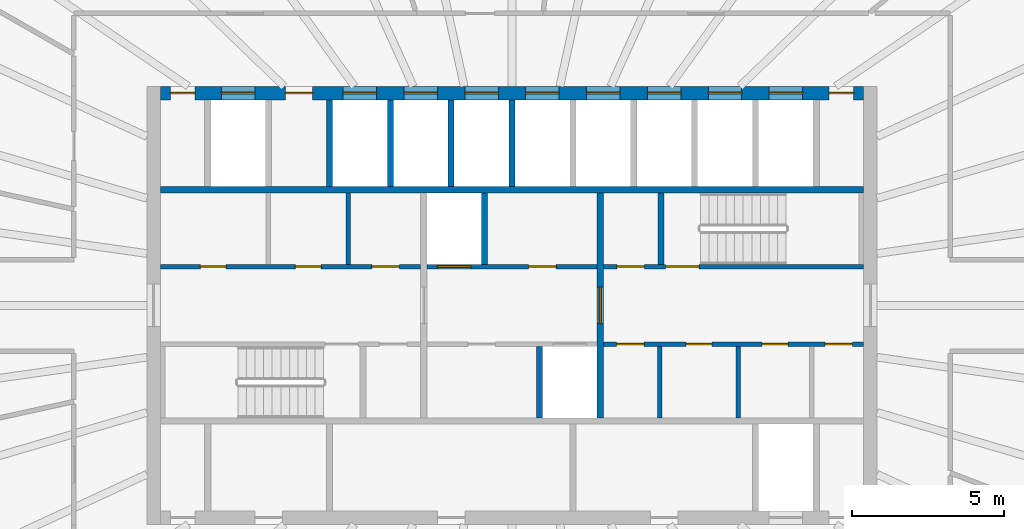
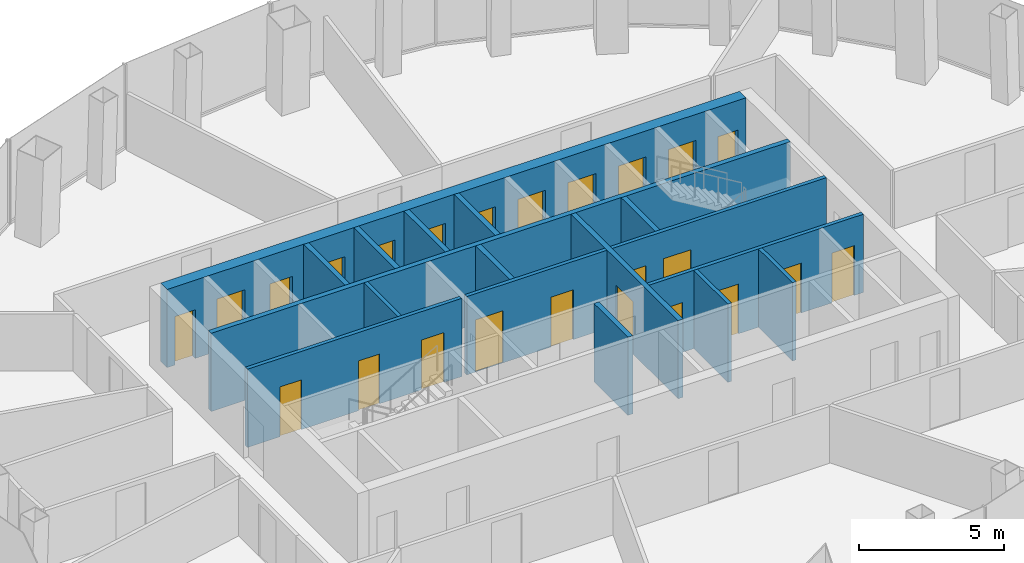
# One storey, part 8 of 10: 24 doors, 17 walls, 24 openings.
"""IFC4 building model written with IfcOpenShell, lengths in metres."""

from ifc_helpers import new_model, si_unit, direction, frame, frame_2d, origin, place, context, subcontext, project, spatial, rectangle, extrude, material, layer, layer_set, type_object, element, fill, save


model = new_model("IFC4")

# Units and contexts
model_context = context("Model", 3, precision=1e-05, world=origin(), true_north=direction((0.0, 1.0)))
body_context = subcontext(model_context, "Body", "Model", "MODEL_VIEW")
ifc_project = project(units=[si_unit("LENGTHUNIT", "METRE"), si_unit("AREAUNIT", "SQUARE_METRE"), si_unit("VOLUMEUNIT", "CUBIC_METRE"), si_unit("PLANEANGLEUNIT", "RADIAN"), si_unit("MASSUNIT", "GRAM", prefix="KILO")], contexts=[model_context])

# Site, building, storey
site_placement = place(None, origin())
site = spatial("IfcSite", under=ifc_project, at=site_placement, CompositionType="ELEMENT")
building_placement = place(site_placement, origin())
building = spatial("IfcBuilding", under=site, at=building_placement, Name="Siaravel Broadcast Tower", CompositionType="ELEMENT")
storey_placement = place(building_placement, frame((0.0, 0.0, 164.5)))
storey = spatial("IfcBuildingStorey", under=building, at=storey_placement, Name="L39", CompositionType="ELEMENT", Elevation=164.5)

# Walls
ifc_material_1 = material(Name="Concrete blockwork", Category="masonry")
ifc_layer_1 = layer(ifc_material_1, 0.14990234375)
ifc_layer_set_1 = layer_set([ifc_layer_1], Name="Concrete blockwork")
wall_type_1 = type_object("IfcWallType", Name="Core partition 150", PredefinedType="PARTITIONING", material=ifc_layer_set_1)
for number, where, z_axis, x_axis, name in (
    (1, (-5.385009765625, 1.35009765625, 0.0), (0.0, 0.0, 1.0), (0.0, 1.0, 0.0), "L39 core partition PNW1"),
    (2, (4.85693359375, -3.699951171875, 0.0), (0.0, 0.0, 1.0), (0.0, 1.0, 0.0), "L39 core partition PSE0"),
    (3, (7.43701171875, -3.699951171875, 0.0), (0.0, 0.0, 1.0), (0.0, 1.0, 0.0), "L39 core partition PSE1"),
):
    element("IfcWall", number, at=place(storey_placement, frame(where, z_axis=z_axis, x_axis=x_axis)), inside=storey, type_object=wall_type_1, Name=name, PredefinedType="PARTITIONING", context=body_context, shape_type="SweptSolid", body=[
        extrude(rectangle(XDim=2.349853515625, YDim=0.14990234375, at=frame_2d((1.1748046875, 0.0))), origin(), (0.0, 0.0, 1.0), 3.300048828125),
    ])

# Wall, openings, doors
ifc_material_2 = material(Name="Concrete C60/75", Category="concrete")
ifc_layer_2 = layer(ifc_material_2, 0.449951171875)
ifc_layer_set_2 = layer_set([ifc_layer_2], Name="Concrete C60/75")
wall_type_2 = type_object("IfcWallType", Name="Core wall 450", PredefinedType="SHEAR", material=ifc_layer_set_2)
wall_1_placement = place(storey_placement, frame((-11.550048828125, 6.97509765625, 0.0), z_axis=(0.0, 0.0, 1.0), x_axis=(1.0, 0.0, 0.0)))
wall_1 = element("IfcWall", 4, at=wall_1_placement, inside=storey, type_object=wall_type_2, Name="L39 core wall ON", PredefinedType="SHEAR", context=body_context, shape_type="SweptSolid", body=[
    extrude(rectangle(XDim=23.10009765625, YDim=0.449951171875, at=frame_2d((11.550048828125, 0.0))), origin(), (0.0, 0.0, 1.0), 3.300048828125),
])
opening_1_placement = place(wall_1_placement, frame((2.0, 0.0, 0.0)))
opening_1 = element("IfcOpeningElement", 5, at=opening_1_placement, cuts=wall_1, Name="Opening LD-SV2-L39", PredefinedType="OPENING", context=body_context, shape_type="SweptSolid", body=[
    extrude(rectangle(XDim=1.10009765625, YDim=2.199951171875, at=frame_2d((0.550048828125, 1.10009765625))), frame((0.0, 0.23486328125, 0.0), z_axis=(0.0, -1.0, 0.0), x_axis=(1.0, 0.0, 0.0)), (0.0, 0.0, 1.0), 0.469970703125),
])
opening_2_placement = place(wall_1_placement, frame((6.0, 0.0, 0.0)))
opening_2 = element("IfcOpeningElement", 6, at=opening_2_placement, cuts=wall_1, Name="Opening LD-HP1-L39", PredefinedType="OPENING", context=body_context, shape_type="SweptSolid", body=[
    extrude(rectangle(XDim=1.10009765625, YDim=2.199951171875, at=frame_2d((0.550048828125, 1.10009765625))), frame((0.0, 0.23486328125, 0.0), z_axis=(0.0, -1.0, 0.0), x_axis=(1.0, 0.0, 0.0)), (0.0, 0.0, 1.0), 0.469970703125),
])
opening_3_placement = place(wall_1_placement, frame((8.0, 0.0, 0.0)))
opening_3 = element("IfcOpeningElement", 7, at=opening_3_placement, cuts=wall_1, Name="Opening LD-HP2-L39", PredefinedType="OPENING", context=body_context, shape_type="SweptSolid", body=[
    extrude(rectangle(XDim=1.10009765625, YDim=2.199951171875, at=frame_2d((0.550048828125, 1.10009765625))), frame((0.0, 0.23486328125, 0.0), z_axis=(0.0, -1.0, 0.0), x_axis=(1.0, 0.0, 0.0)), (0.0, 0.0, 1.0), 0.469970703125),
])
opening_4_placement = place(wall_1_placement, frame((10.0, 0.0, 0.0)))
opening_4 = element("IfcOpeningElement", 8, at=opening_4_placement, cuts=wall_1, Name="Opening LD-HP3-L39", PredefinedType="OPENING", context=body_context, shape_type="SweptSolid", body=[
    extrude(rectangle(XDim=1.10009765625, YDim=2.199951171875, at=frame_2d((0.550048828125, 1.10009765625))), frame((0.0, 0.23486328125, 0.0), z_axis=(0.0, -1.0, 0.0), x_axis=(1.0, 0.0, 0.0)), (0.0, 0.0, 1.0), 0.469970703125),
])
opening_5_placement = place(wall_1_placement, frame((12.0, 0.0, 0.0)))
opening_5 = element("IfcOpeningElement", 9, at=opening_5_placement, cuts=wall_1, Name="Opening LD-HP4-L39", PredefinedType="OPENING", context=body_context, shape_type="SweptSolid", body=[
    extrude(rectangle(XDim=1.10009765625, YDim=2.199951171875, at=frame_2d((0.550048828125, 1.10009765625))), frame((0.0, 0.23486328125, 0.0), z_axis=(0.0, -1.0, 0.0), x_axis=(1.0, 0.0, 0.0)), (0.0, 0.0, 1.0), 0.469970703125),
])
opening_6_placement = place(wall_1_placement, frame((14.0, 0.0, 0.0)))
opening_6 = element("IfcOpeningElement", 10, at=opening_6_placement, cuts=wall_1, Name="Opening LD-HP5-L39", PredefinedType="OPENING", context=body_context, shape_type="SweptSolid", body=[
    extrude(rectangle(XDim=1.10009765625, YDim=2.199951171875, at=frame_2d((0.550048828125, 1.10009765625))), frame((0.0, 0.23486328125, 0.0), z_axis=(0.0, -1.0, 0.0), x_axis=(1.0, 0.0, 0.0)), (0.0, 0.0, 1.0), 0.469970703125),
])
opening_7_placement = place(wall_1_placement, frame((16.0, 0.0, 0.0)))
opening_7 = element("IfcOpeningElement", 11, at=opening_7_placement, cuts=wall_1, Name="Opening LD-HP6-L39", PredefinedType="OPENING", context=body_context, shape_type="SweptSolid", body=[
    extrude(rectangle(XDim=1.10009765625, YDim=2.199951171875, at=frame_2d((0.550048828125, 1.10009765625))), frame((0.0, 0.23486328125, 0.0), z_axis=(0.0, -1.0, 0.0), x_axis=(1.0, 0.0, 0.0)), (0.0, 0.0, 1.0), 0.469970703125),
])
opening_8_placement = place(wall_1_placement, frame((18.0, 0.0, 0.0)))
opening_8 = element("IfcOpeningElement", 12, at=opening_8_placement, cuts=wall_1, Name="Opening LD-HP7-L39", PredefinedType="OPENING", context=body_context, shape_type="SweptSolid", body=[
    extrude(rectangle(XDim=1.10009765625, YDim=2.199951171875, at=frame_2d((0.550048828125, 1.10009765625))), frame((0.0, 0.23486328125, 0.0), z_axis=(0.0, -1.0, 0.0), x_axis=(1.0, 0.0, 0.0)), (0.0, 0.0, 1.0), 0.469970703125),
])
opening_9_placement = place(wall_1_placement, frame((20.0, 0.0, 0.0)))
opening_9 = element("IfcOpeningElement", 13, at=opening_9_placement, cuts=wall_1, Name="Opening LD-HP8-L39", PredefinedType="OPENING", context=body_context, shape_type="SweptSolid", body=[
    extrude(rectangle(XDim=1.10009765625, YDim=2.199951171875, at=frame_2d((0.550048828125, 1.10009765625))), frame((0.0, 0.23486328125, 0.0), z_axis=(0.0, -1.0, 0.0), x_axis=(1.0, 0.0, 0.0)), (0.0, 0.0, 1.0), 0.469970703125),
])
opening_10_placement = place(wall_1_placement, frame((4.10009765625, 0.0, 0.0)))
opening_10 = element("IfcOpeningElement", 14, at=opening_10_placement, cuts=wall_1, Name="Opening L39-DFN1", PredefinedType="OPENING", context=body_context, shape_type="SweptSolid", body=[
    extrude(rectangle(XDim=0.89990234375, YDim=2.10009765625, at=frame_2d((0.449951171875, 1.050048828125))), frame((0.0, 0.23486328125, 0.0), z_axis=(0.0, -1.0, 0.0), x_axis=(1.0, 0.0, 0.0)), (0.0, 0.0, 1.0), 0.469970703125),
])
opening_11_placement = place(wall_1_placement, frame((0.324951171875, 0.0, 0.0)))
opening_11 = element("IfcOpeningElement", 15, at=opening_11_placement, cuts=wall_1, Name="Opening L39-DRNW", PredefinedType="OPENING", context=body_context, shape_type="SweptSolid", body=[
    extrude(rectangle(XDim=0.800048828125, YDim=2.050048828125, at=frame_2d((0.39990234375, 1.02490234375))), frame((0.0, 0.23486328125, 0.0), z_axis=(0.0, -1.0, 0.0), x_axis=(1.0, 0.0, 0.0)), (0.0, 0.0, 1.0), 0.469970703125),
])
opening_12_placement = place(wall_1_placement, frame((21.97509765625, 0.0, 0.0)))
opening_12 = element("IfcOpeningElement", 16, at=opening_12_placement, cuts=wall_1, Name="Opening L39-DRNE", PredefinedType="OPENING", context=body_context, shape_type="SweptSolid", body=[
    extrude(rectangle(XDim=0.800048828125, YDim=2.050048828125, at=frame_2d((0.39990234375, 1.02490234375))), frame((0.0, 0.23486328125, 0.0), z_axis=(0.0, -1.0, 0.0), x_axis=(1.0, 0.0, 0.0)), (0.0, 0.0, 1.0), 0.469970703125),
])
ifc_material_3 = material(Name="Timber veneer", Category="wood")
door_type_1 = type_object("IfcDoorType", Name="Core room door 900", OperationType="SINGLE_SWING_LEFT", PredefinedType="DOOR", material=ifc_material_3)
door_1_placement = place(opening_10_placement, origin())
door_1 = element("IfcDoor", 17, at=door_1_placement, inside=storey, type_object=door_type_1, Name="L39 door DFN1", OperationType="SINGLE_SWING_LEFT", OverallHeight=2.10009765625, OverallWidth=0.89990234375, PredefinedType="DOOR", context=body_context, shape_type="SweptSolid", body=[
    extrude(rectangle(XDim=0.89990234375, YDim=2.10009765625, at=frame_2d((0.449951171875, 1.050048828125))), frame((0.0, 0.02490234375, 0.0), z_axis=(0.0, -1.0, 0.0), x_axis=(1.0, 0.0, 0.0)), (0.0, 0.0, 1.0), 0.050048828125),
])
fill(opening_10, door_1)
ifc_material_4 = material(Name="Stainless steel 316L", Category="steel")
door_type_2 = type_object("IfcDoorType", Name="Lift landing door 1100", OperationType="DOUBLE_DOOR_SLIDING", PredefinedType="DOOR", material=ifc_material_4)
door_2_placement = place(opening_2_placement, origin())
door_2 = element("IfcDoor", 18, at=door_2_placement, inside=storey, type_object=door_type_2, Name="Landing door HP1 L39", OperationType="DOUBLE_DOOR_SLIDING", OverallHeight=2.199951171875, OverallWidth=1.10009765625, PredefinedType="DOOR", context=body_context, shape_type="SweptSolid", body=[
    extrude(rectangle(XDim=1.10009765625, YDim=2.199951171875, at=frame_2d((0.550048828125, 1.10009765625))), frame((0.0, 0.02490234375, 0.0), z_axis=(0.0, -1.0, 0.0), x_axis=(1.0, 0.0, 0.0)), (0.0, 0.0, 1.0), 0.050048828125),
])
fill(opening_2, door_2)
door_3_placement = place(opening_3_placement, origin())
door_3 = element("IfcDoor", 19, at=door_3_placement, inside=storey, type_object=door_type_2, Name="Landing door HP2 L39", OperationType="DOUBLE_DOOR_SLIDING", OverallHeight=2.199951171875, OverallWidth=1.10009765625, PredefinedType="DOOR", context=body_context, shape_type="SweptSolid", body=[
    extrude(rectangle(XDim=1.10009765625, YDim=2.199951171875, at=frame_2d((0.550048828125, 1.10009765625))), frame((0.0, 0.02490234375, 0.0), z_axis=(0.0, -1.0, 0.0), x_axis=(1.0, 0.0, 0.0)), (0.0, 0.0, 1.0), 0.050048828125),
])
fill(opening_3, door_3)
door_4_placement = place(opening_4_placement, origin())
door_4 = element("IfcDoor", 20, at=door_4_placement, inside=storey, type_object=door_type_2, Name="Landing door HP3 L39", OperationType="DOUBLE_DOOR_SLIDING", OverallHeight=2.199951171875, OverallWidth=1.10009765625, PredefinedType="DOOR", context=body_context, shape_type="SweptSolid", body=[
    extrude(rectangle(XDim=1.10009765625, YDim=2.199951171875, at=frame_2d((0.550048828125, 1.10009765625))), frame((0.0, 0.02490234375, 0.0), z_axis=(0.0, -1.0, 0.0), x_axis=(1.0, 0.0, 0.0)), (0.0, 0.0, 1.0), 0.050048828125),
])
fill(opening_4, door_4)
door_5_placement = place(opening_5_placement, origin())
door_5 = element("IfcDoor", 21, at=door_5_placement, inside=storey, type_object=door_type_2, Name="Landing door HP4 L39", OperationType="DOUBLE_DOOR_SLIDING", OverallHeight=2.199951171875, OverallWidth=1.10009765625, PredefinedType="DOOR", context=body_context, shape_type="SweptSolid", body=[
    extrude(rectangle(XDim=1.10009765625, YDim=2.199951171875, at=frame_2d((0.550048828125, 1.10009765625))), frame((0.0, 0.02490234375, 0.0), z_axis=(0.0, -1.0, 0.0), x_axis=(1.0, 0.0, 0.0)), (0.0, 0.0, 1.0), 0.050048828125),
])
fill(opening_5, door_5)
door_6_placement = place(opening_6_placement, origin())
door_6 = element("IfcDoor", 22, at=door_6_placement, inside=storey, type_object=door_type_2, Name="Landing door HP5 L39", OperationType="DOUBLE_DOOR_SLIDING", OverallHeight=2.199951171875, OverallWidth=1.10009765625, PredefinedType="DOOR", context=body_context, shape_type="SweptSolid", body=[
    extrude(rectangle(XDim=1.10009765625, YDim=2.199951171875, at=frame_2d((0.550048828125, 1.10009765625))), frame((0.0, 0.02490234375, 0.0), z_axis=(0.0, -1.0, 0.0), x_axis=(1.0, 0.0, 0.0)), (0.0, 0.0, 1.0), 0.050048828125),
])
fill(opening_6, door_6)
door_7_placement = place(opening_7_placement, origin())
door_7 = element("IfcDoor", 23, at=door_7_placement, inside=storey, type_object=door_type_2, Name="Landing door HP6 L39", OperationType="DOUBLE_DOOR_SLIDING", OverallHeight=2.199951171875, OverallWidth=1.10009765625, PredefinedType="DOOR", context=body_context, shape_type="SweptSolid", body=[
    extrude(rectangle(XDim=1.10009765625, YDim=2.199951171875, at=frame_2d((0.550048828125, 1.10009765625))), frame((0.0, 0.02490234375, 0.0), z_axis=(0.0, -1.0, 0.0), x_axis=(1.0, 0.0, 0.0)), (0.0, 0.0, 1.0), 0.050048828125),
])
fill(opening_7, door_7)
door_8_placement = place(opening_8_placement, origin())
door_8 = element("IfcDoor", 24, at=door_8_placement, inside=storey, type_object=door_type_2, Name="Landing door HP7 L39", OperationType="DOUBLE_DOOR_SLIDING", OverallHeight=2.199951171875, OverallWidth=1.10009765625, PredefinedType="DOOR", context=body_context, shape_type="SweptSolid", body=[
    extrude(rectangle(XDim=1.10009765625, YDim=2.199951171875, at=frame_2d((0.550048828125, 1.10009765625))), frame((0.0, 0.02490234375, 0.0), z_axis=(0.0, -1.0, 0.0), x_axis=(1.0, 0.0, 0.0)), (0.0, 0.0, 1.0), 0.050048828125),
])
fill(opening_8, door_8)
door_9_placement = place(opening_9_placement, origin())
door_9 = element("IfcDoor", 25, at=door_9_placement, inside=storey, type_object=door_type_2, Name="Landing door HP8 L39", OperationType="DOUBLE_DOOR_SLIDING", OverallHeight=2.199951171875, OverallWidth=1.10009765625, PredefinedType="DOOR", context=body_context, shape_type="SweptSolid", body=[
    extrude(rectangle(XDim=1.10009765625, YDim=2.199951171875, at=frame_2d((0.550048828125, 1.10009765625))), frame((0.0, 0.02490234375, 0.0), z_axis=(0.0, -1.0, 0.0), x_axis=(1.0, 0.0, 0.0)), (0.0, 0.0, 1.0), 0.050048828125),
])
fill(opening_9, door_9)
ifc_material_5 = material(Name="Steel", Category="steel")
door_type_3 = type_object("IfcDoorType", Name="Riser door 800", OperationType="SINGLE_SWING_LEFT", PredefinedType="DOOR", material=ifc_material_5)
door_10_placement = place(opening_11_placement, origin())
door_10 = element("IfcDoor", 26, at=door_10_placement, inside=storey, type_object=door_type_3, Name="L39 door DRNW", OperationType="SINGLE_SWING_LEFT", OverallHeight=2.050048828125, OverallWidth=0.800048828125, PredefinedType="DOOR", context=body_context, shape_type="SweptSolid", body=[
    extrude(rectangle(XDim=0.800048828125, YDim=2.050048828125, at=frame_2d((0.39990234375, 1.02490234375))), frame((0.0, 0.02490234375, 0.0), z_axis=(0.0, -1.0, 0.0), x_axis=(1.0, 0.0, 0.0)), (0.0, 0.0, 1.0), 0.050048828125),
])
fill(opening_11, door_10)
door_11_placement = place(opening_12_placement, origin())
door_11 = element("IfcDoor", 27, at=door_11_placement, inside=storey, type_object=door_type_3, Name="L39 door DRNE", OperationType="SINGLE_SWING_LEFT", OverallHeight=2.050048828125, OverallWidth=0.800048828125, PredefinedType="DOOR", context=body_context, shape_type="SweptSolid", body=[
    extrude(rectangle(XDim=0.800048828125, YDim=2.050048828125, at=frame_2d((0.39990234375, 1.02490234375))), frame((0.0, 0.02490234375, 0.0), z_axis=(0.0, -1.0, 0.0), x_axis=(1.0, 0.0, 0.0)), (0.0, 0.0, 1.0), 0.050048828125),
])
fill(opening_12, door_11)
door_type_4 = type_object("IfcDoorType", Name="Service lift landing door 1100", OperationType="DOUBLE_DOOR_SLIDING", PredefinedType="DOOR", material=ifc_material_4)
door_12_placement = place(opening_1_placement, origin())
door_12 = element("IfcDoor", 28, at=door_12_placement, inside=storey, type_object=door_type_4, Name="Landing door SV2 L39", OperationType="DOUBLE_DOOR_SLIDING", OverallHeight=2.199951171875, OverallWidth=1.10009765625, PredefinedType="DOOR", context=body_context, shape_type="SweptSolid", body=[
    extrude(rectangle(XDim=1.10009765625, YDim=2.199951171875, at=frame_2d((0.550048828125, 1.10009765625))), frame((0.0, 0.02490234375, 0.0), z_axis=(0.0, -1.0, 0.0), x_axis=(1.0, 0.0, 0.0)), (0.0, 0.0, 1.0), 0.050048828125),
])
fill(opening_1, door_12)

ifc_material_6 = material(Name="Gypsum board partition", Category="gypsum")
ifc_layer_3 = layer(ifc_material_6, 0.14990234375)
ifc_layer_set_3 = layer_set([ifc_layer_3], Name="Gypsum board partition")
wall_type_3 = type_object("IfcWallType", Name="Corridor wall 150", PredefinedType="PARTITIONING", material=ifc_layer_set_3)
wall_2_placement = place(storey_placement, frame((3.0, -1.27490234375, 0.0), z_axis=(0.0, 0.0, 1.0), x_axis=(1.0, 0.0, 0.0)))
wall_2 = element("IfcWall", 29, at=wall_2_placement, inside=storey, type_object=wall_type_3, Name="L39 core partition CSE", PredefinedType="PARTITIONING", context=body_context, shape_type="SweptSolid", body=[
    extrude(rectangle(XDim=8.550048828125, YDim=0.14990234375, at=frame_2d((4.27490234375, 0.0))), origin(), (0.0, 0.0, 1.0), 3.300048828125),
])
opening_13_placement = place(wall_2_placement, frame((0.44091796875, 0.0, 0.0)))
opening_13 = element("IfcOpeningElement", 30, at=opening_13_placement, cuts=wall_2, Name="Opening L39-DSE0", PredefinedType="OPENING", context=body_context, shape_type="SweptSolid", body=[
    extrude(rectangle(XDim=0.89990234375, YDim=2.10009765625, at=frame_2d((0.449951171875, 1.050048828125))), frame((0.0, 0.0849609375, 0.0), z_axis=(0.0, -1.0, 0.0), x_axis=(1.0, 0.0, 0.0)), (0.0, 0.0, 1.0), 0.169921875),
])
opening_14_placement = place(wall_2_placement, frame((2.721923828125, 0.0, 0.0)))
opening_14 = element("IfcOpeningElement", 31, at=opening_14_placement, cuts=wall_2, Name="Opening L39-DSE1", PredefinedType="OPENING", context=body_context, shape_type="SweptSolid", body=[
    extrude(rectangle(XDim=0.85009765625, YDim=2.10009765625, at=frame_2d((0.425048828125, 1.050048828125))), frame((0.0, 0.0849609375, 0.0), z_axis=(0.0, -1.0, 0.0), x_axis=(1.0, 0.0, 0.0)), (0.0, 0.0, 1.0), 0.169921875),
])
opening_15_placement = place(wall_2_placement, frame((5.220947265625, 0.0, 0.0)))
opening_15 = element("IfcOpeningElement", 32, at=opening_15_placement, cuts=wall_2, Name="Opening L39-DSE2", PredefinedType="OPENING", context=body_context, shape_type="SweptSolid", body=[
    extrude(rectangle(XDim=0.85009765625, YDim=2.10009765625, at=frame_2d((0.425048828125, 1.050048828125))), frame((0.0, 0.0849609375, 0.0), z_axis=(0.0, -1.0, 0.0), x_axis=(1.0, 0.0, 0.0)), (0.0, 0.0, 1.0), 0.169921875),
])
opening_16_placement = place(wall_2_placement, frame((7.2900390625, 0.0, 0.0)))
opening_16 = element("IfcOpeningElement", 33, at=opening_16_placement, cuts=wall_2, Name="Opening L39-DSE3", PredefinedType="OPENING", context=body_context, shape_type="SweptSolid", body=[
    extrude(rectangle(XDim=0.89990234375, YDim=2.10009765625, at=frame_2d((0.449951171875, 1.050048828125))), frame((0.0, 0.0849609375, 0.0), z_axis=(0.0, -1.0, 0.0), x_axis=(1.0, 0.0, 0.0)), (0.0, 0.0, 1.0), 0.169921875),
])
door_13_placement = place(opening_13_placement, origin())
door_13 = element("IfcDoor", 34, at=door_13_placement, inside=storey, type_object=door_type_1, Name="L39 door DSE0", OperationType="SINGLE_SWING_LEFT", OverallHeight=2.10009765625, OverallWidth=0.89990234375, PredefinedType="DOOR", context=body_context, shape_type="SweptSolid", body=[
    extrude(rectangle(XDim=0.89990234375, YDim=2.10009765625, at=frame_2d((0.449951171875, 1.050048828125))), frame((0.0, 0.02490234375, 0.0), z_axis=(0.0, -1.0, 0.0), x_axis=(1.0, 0.0, 0.0)), (0.0, 0.0, 1.0), 0.050048828125),
])
fill(opening_13, door_13)
door_14_placement = place(opening_16_placement, origin())
door_14 = element("IfcDoor", 35, at=door_14_placement, inside=storey, type_object=door_type_1, Name="L39 door DSE3", OperationType="SINGLE_SWING_LEFT", OverallHeight=2.10009765625, OverallWidth=0.89990234375, PredefinedType="DOOR", context=body_context, shape_type="SweptSolid", body=[
    extrude(rectangle(XDim=0.89990234375, YDim=2.10009765625, at=frame_2d((0.449951171875, 1.050048828125))), frame((0.0, 0.02490234375, 0.0), z_axis=(0.0, -1.0, 0.0), x_axis=(1.0, 0.0, 0.0)), (0.0, 0.0, 1.0), 0.050048828125),
])
fill(opening_16, door_14)
door_type_5 = type_object("IfcDoorType", Name="Core toilet door 850", OperationType="SINGLE_SWING_LEFT", PredefinedType="DOOR", material=ifc_material_3)
door_15_placement = place(opening_14_placement, origin())
door_15 = element("IfcDoor", 36, at=door_15_placement, inside=storey, type_object=door_type_5, Name="L39 door DSE1", OperationType="SINGLE_SWING_LEFT", OverallHeight=2.10009765625, OverallWidth=0.85009765625, PredefinedType="DOOR", context=body_context, shape_type="SweptSolid", body=[
    extrude(rectangle(XDim=0.85009765625, YDim=2.10009765625, at=frame_2d((0.425048828125, 1.050048828125))), frame((0.0, 0.02490234375, 0.0), z_axis=(0.0, -1.0, 0.0), x_axis=(1.0, 0.0, 0.0)), (0.0, 0.0, 1.0), 0.050048828125),
])
fill(opening_14, door_15)
door_16_placement = place(opening_15_placement, origin())
door_16 = element("IfcDoor", 37, at=door_16_placement, inside=storey, type_object=door_type_5, Name="L39 door DSE2", OperationType="SINGLE_SWING_LEFT", OverallHeight=2.10009765625, OverallWidth=0.85009765625, PredefinedType="DOOR", context=body_context, shape_type="SweptSolid", body=[
    extrude(rectangle(XDim=0.85009765625, YDim=2.10009765625, at=frame_2d((0.425048828125, 1.050048828125))), frame((0.0, 0.02490234375, 0.0), z_axis=(0.0, -1.0, 0.0), x_axis=(1.0, 0.0, 0.0)), (0.0, 0.0, 1.0), 0.050048828125),
])
fill(opening_15, door_16)

wall_3_placement = place(storey_placement, frame((-11.550048828125, 1.27490234375, 0.0), z_axis=(0.0, 0.0, 1.0), x_axis=(1.0, 0.0, 0.0)))
wall_3 = element("IfcWall", 38, at=wall_3_placement, inside=storey, type_object=wall_type_3, Name="L39 core partition CNW", PredefinedType="PARTITIONING", context=body_context, shape_type="SweptSolid", body=[
    extrude(rectangle(XDim=8.550048828125, YDim=0.14990234375, at=frame_2d((4.27490234375, 0.0))), origin(), (0.0, 0.0, 1.0), 3.300048828125),
])
opening_17_placement = place(wall_3_placement, frame((1.3076171875, 0.0, 0.0)))
opening_17 = element("IfcOpeningElement", 39, at=opening_17_placement, cuts=wall_3, Name="Opening L39-DNW0", PredefinedType="OPENING", context=body_context, shape_type="SweptSolid", body=[
    extrude(rectangle(XDim=0.85009765625, YDim=2.10009765625, at=frame_2d((0.425048828125, 1.050048828125))), frame((0.0, 0.0849609375, 0.0), z_axis=(0.0, -1.0, 0.0), x_axis=(1.0, 0.0, 0.0)), (0.0, 0.0, 1.0), 0.169921875),
])
opening_18_placement = place(wall_3_placement, frame((4.427490234375, 0.0, 0.0)))
opening_18 = element("IfcOpeningElement", 40, at=opening_18_placement, cuts=wall_3, Name="Opening L39-DNW1", PredefinedType="OPENING", context=body_context, shape_type="SweptSolid", body=[
    extrude(rectangle(XDim=0.85009765625, YDim=2.10009765625, at=frame_2d((0.425048828125, 1.050048828125))), frame((0.0, 0.0849609375, 0.0), z_axis=(0.0, -1.0, 0.0), x_axis=(1.0, 0.0, 0.0)), (0.0, 0.0, 1.0), 0.169921875),
])
opening_19_placement = place(wall_3_placement, frame((6.945068359375, 0.0, 0.0)))
opening_19 = element("IfcOpeningElement", 41, at=opening_19_placement, cuts=wall_3, Name="Opening L39-DNW2", PredefinedType="OPENING", context=body_context, shape_type="SweptSolid", body=[
    extrude(rectangle(XDim=0.89990234375, YDim=2.10009765625, at=frame_2d((0.449951171875, 1.050048828125))), frame((0.0, 0.0849609375, 0.0), z_axis=(0.0, -1.0, 0.0), x_axis=(1.0, 0.0, 0.0)), (0.0, 0.0, 1.0), 0.169921875),
])
door_17_placement = place(opening_19_placement, origin())
door_17 = element("IfcDoor", 42, at=door_17_placement, inside=storey, type_object=door_type_1, Name="L39 door DNW2", OperationType="SINGLE_SWING_LEFT", OverallHeight=2.10009765625, OverallWidth=0.89990234375, PredefinedType="DOOR", context=body_context, shape_type="SweptSolid", body=[
    extrude(rectangle(XDim=0.89990234375, YDim=2.10009765625, at=frame_2d((0.449951171875, 1.050048828125))), frame((0.0, 0.02490234375, 0.0), z_axis=(0.0, -1.0, 0.0), x_axis=(1.0, 0.0, 0.0)), (0.0, 0.0, 1.0), 0.050048828125),
])
fill(opening_19, door_17)
door_18_placement = place(opening_17_placement, origin())
door_18 = element("IfcDoor", 43, at=door_18_placement, inside=storey, type_object=door_type_5, Name="L39 door DNW0", OperationType="SINGLE_SWING_LEFT", OverallHeight=2.10009765625, OverallWidth=0.85009765625, PredefinedType="DOOR", context=body_context, shape_type="SweptSolid", body=[
    extrude(rectangle(XDim=0.85009765625, YDim=2.10009765625, at=frame_2d((0.425048828125, 1.050048828125))), frame((0.0, 0.02490234375, 0.0), z_axis=(0.0, -1.0, 0.0), x_axis=(1.0, 0.0, 0.0)), (0.0, 0.0, 1.0), 0.050048828125),
])
fill(opening_17, door_18)
door_19_placement = place(opening_18_placement, origin())
door_19 = element("IfcDoor", 44, at=door_19_placement, inside=storey, type_object=door_type_5, Name="L39 door DNW1", OperationType="SINGLE_SWING_LEFT", OverallHeight=2.10009765625, OverallWidth=0.85009765625, PredefinedType="DOOR", context=body_context, shape_type="SweptSolid", body=[
    extrude(rectangle(XDim=0.85009765625, YDim=2.10009765625, at=frame_2d((0.425048828125, 1.050048828125))), frame((0.0, 0.02490234375, 0.0), z_axis=(0.0, -1.0, 0.0), x_axis=(1.0, 0.0, 0.0)), (0.0, 0.0, 1.0), 0.050048828125),
])
fill(opening_18, door_19)

ifc_layer_4 = layer(ifc_material_2, 0.14990234375)
ifc_layer_set_4 = layer_set([ifc_layer_4], Name="Concrete C60/75")
wall_type_4 = type_object("IfcWallType", Name="Shaft wall 150", PredefinedType="SHEAR", material=ifc_layer_set_4)
wall_4_placement = place(storey_placement, frame((-2.800048828125, 1.27490234375, 0.0), z_axis=(0.0, 0.0, 1.0), x_axis=(1.0, 0.0, 0.0)))
wall_4 = element("IfcWall", 45, at=wall_4_placement, inside=storey, type_object=wall_type_4, Name="L39 core wall CNM", PredefinedType="SHEAR", context=body_context, shape_type="SweptSolid", body=[
    extrude(rectangle(XDim=5.60009765625, YDim=0.14990234375, at=frame_2d((2.800048828125, 0.0))), origin(), (0.0, 0.0, 1.0), 3.300048828125),
])
opening_20_placement = place(wall_4_placement, frame((0.35009765625, 0.0, 0.0)))
opening_20 = element("IfcOpeningElement", 46, at=opening_20_placement, cuts=wall_4, Name="Opening LD-FL1-L39", PredefinedType="OPENING", context=body_context, shape_type="SweptSolid", body=[
    extrude(rectangle(XDim=1.10009765625, YDim=2.199951171875, at=frame_2d((0.550048828125, 1.10009765625))), frame((0.0, 0.0849609375, 0.0), z_axis=(0.0, -1.0, 0.0), x_axis=(1.0, 0.0, 0.0)), (0.0, 0.0, 1.0), 0.169921875),
])
opening_21_placement = place(wall_4_placement, frame((3.35009765625, 0.0, 0.0)))
opening_21 = element("IfcOpeningElement", 47, at=opening_21_placement, cuts=wall_4, Name="Opening L39-DNM0", PredefinedType="OPENING", context=body_context, shape_type="SweptSolid", body=[
    extrude(rectangle(XDim=0.89990234375, YDim=2.10009765625, at=frame_2d((0.449951171875, 1.050048828125))), frame((0.0, 0.0849609375, 0.0), z_axis=(0.0, -1.0, 0.0), x_axis=(1.0, 0.0, 0.0)), (0.0, 0.0, 1.0), 0.169921875),
])
door_20_placement = place(opening_21_placement, origin())
door_20 = element("IfcDoor", 48, at=door_20_placement, inside=storey, type_object=door_type_1, Name="L39 door DNM0", OperationType="SINGLE_SWING_LEFT", OverallHeight=2.10009765625, OverallWidth=0.89990234375, PredefinedType="DOOR", context=body_context, shape_type="SweptSolid", body=[
    extrude(rectangle(XDim=0.89990234375, YDim=2.10009765625, at=frame_2d((0.449951171875, 1.050048828125))), frame((0.0, 0.02490234375, 0.0), z_axis=(0.0, -1.0, 0.0), x_axis=(1.0, 0.0, 0.0)), (0.0, 0.0, 1.0), 0.050048828125),
])
fill(opening_21, door_20)
door_type_6 = type_object("IfcDoorType", Name="Firefighting lift landing door 1100", OperationType="DOUBLE_DOOR_SLIDING", PredefinedType="DOOR", material=ifc_material_4)
door_21_placement = place(opening_20_placement, origin())
door_21 = element("IfcDoor", 49, at=door_21_placement, inside=storey, type_object=door_type_6, Name="Landing door FL1 L39", OperationType="DOUBLE_DOOR_SLIDING", OverallHeight=2.199951171875, OverallWidth=1.10009765625, PredefinedType="DOOR", context=body_context, shape_type="SweptSolid", body=[
    extrude(rectangle(XDim=1.10009765625, YDim=2.199951171875, at=frame_2d((0.550048828125, 1.10009765625))), frame((0.0, 0.02490234375, 0.0), z_axis=(0.0, -1.0, 0.0), x_axis=(1.0, 0.0, 0.0)), (0.0, 0.0, 1.0), 0.050048828125),
])
fill(opening_20, door_21)

wall_5_placement = place(storey_placement, frame((3.0, 1.27490234375, 0.0), z_axis=(0.0, 0.0, 1.0), x_axis=(1.0, 0.0, 0.0)))
wall_5 = element("IfcWall", 50, at=wall_5_placement, inside=storey, type_object=wall_type_4, Name="L39 core wall CNE", PredefinedType="SHEAR", context=body_context, shape_type="SweptSolid", body=[
    extrude(rectangle(XDim=8.550048828125, YDim=0.14990234375, at=frame_2d((4.27490234375, 0.0))), origin(), (0.0, 0.0, 1.0), 3.300048828125),
])
opening_22_placement = place(wall_5_placement, frame((2.050048828125, 0.0, 0.0)))
opening_22 = element("IfcOpeningElement", 51, at=opening_22_placement, cuts=wall_5, Name="Opening L39-DS-2", PredefinedType="OPENING", context=body_context, shape_type="SweptSolid", body=[
    extrude(rectangle(XDim=1.10009765625, YDim=2.14990234375, at=frame_2d((0.550048828125, 1.074951171875))), frame((0.0, 0.0849609375, 0.0), z_axis=(0.0, -1.0, 0.0), x_axis=(1.0, 0.0, 0.0)), (0.0, 0.0, 1.0), 0.169921875),
])
opening_23_placement = place(wall_5_placement, frame((0.449951171875, 0.0, 0.0)))
opening_23 = element("IfcOpeningElement", 52, at=opening_23_placement, cuts=wall_5, Name="Opening L39-DNE0", PredefinedType="OPENING", context=body_context, shape_type="SweptSolid", body=[
    extrude(rectangle(XDim=0.89990234375, YDim=2.10009765625, at=frame_2d((0.449951171875, 1.050048828125))), frame((0.0, 0.0849609375, 0.0), z_axis=(0.0, -1.0, 0.0), x_axis=(1.0, 0.0, 0.0)), (0.0, 0.0, 1.0), 0.169921875),
])
door_22_placement = place(opening_23_placement, origin())
door_22 = element("IfcDoor", 53, at=door_22_placement, inside=storey, type_object=door_type_1, Name="L39 door DNE0", OperationType="SINGLE_SWING_LEFT", OverallHeight=2.10009765625, OverallWidth=0.89990234375, PredefinedType="DOOR", context=body_context, shape_type="SweptSolid", body=[
    extrude(rectangle(XDim=0.89990234375, YDim=2.10009765625, at=frame_2d((0.449951171875, 1.050048828125))), frame((0.0, 0.02490234375, 0.0), z_axis=(0.0, -1.0, 0.0), x_axis=(1.0, 0.0, 0.0)), (0.0, 0.0, 1.0), 0.050048828125),
])
fill(opening_23, door_22)
door_type_7 = type_object("IfcDoorType", Name="Stair door 1100", OperationType="SINGLE_SWING_LEFT", PredefinedType="DOOR", material=ifc_material_5)
door_23_placement = place(opening_22_placement, origin())
door_23 = element("IfcDoor", 54, at=door_23_placement, inside=storey, type_object=door_type_7, Name="L39 door DS-2", OperationType="SINGLE_SWING_LEFT", OverallHeight=2.14990234375, OverallWidth=1.10009765625, PredefinedType="DOOR", context=body_context, shape_type="SweptSolid", body=[
    extrude(rectangle(XDim=1.10009765625, YDim=2.14990234375, at=frame_2d((0.550048828125, 1.074951171875))), frame((0.0, 0.02490234375, 0.0), z_axis=(0.0, -1.0, 0.0), x_axis=(1.0, 0.0, 0.0)), (0.0, 0.0, 1.0), 0.050048828125),
])
fill(opening_22, door_23)

# Walls
ifc_layer_5 = layer(ifc_material_2, 0.199951171875)
ifc_layer_set_5 = layer_set([ifc_layer_5], Name="Concrete C60/75")
wall_type_5 = type_object("IfcWallType", Name="Shaft wall 200", PredefinedType="SHEAR", material=ifc_layer_set_5)
wall_6_placement = place(storey_placement, frame((-11.550048828125, 3.800048828125, 0.0), z_axis=(0.0, 0.0, 1.0), x_axis=(1.0, 0.0, 0.0)))
element("IfcWall", 55, at=wall_6_placement, inside=storey, type_object=wall_type_5, Name="L39 core wall BN", PredefinedType="SHEAR", context=body_context, shape_type="SweptSolid", body=[
    extrude(rectangle(XDim=23.10009765625, YDim=0.199951171875, at=frame_2d((11.550048828125, 0.0))), origin(), (0.0, 0.0, 1.0), 3.300048828125),
])
for number, where, z_axis, x_axis, name in (
    (56, (-6.0, 3.89990234375, 0.0), (0.0, 0.0, 1.0), (0.0, 1.0, 0.0), "L39 core wall SWN2"),
    (57, (-4.0, 3.89990234375, 0.0), (0.0, 0.0, 1.0), (0.0, 1.0, 0.0), "L39 core wall SWN3"),
    (58, (-2.0, 3.89990234375, 0.0), (0.0, 0.0, 1.0), (0.0, 1.0, 0.0), "L39 core wall SWN4"),
    (59, (0.0, 3.89990234375, 0.0), (0.0, 0.0, 1.0), (0.0, 1.0, 0.0), "L39 core wall SWN5"),
):
    element("IfcWall", number, at=place(storey_placement, frame(where, z_axis=z_axis, x_axis=x_axis)), inside=storey, type_object=wall_type_5, Name=name, PredefinedType="SHEAR", context=body_context, shape_type="SweptSolid", body=[
        extrude(rectangle(XDim=2.85009765625, YDim=0.199951171875, at=frame_2d((1.425048828125, 0.0))), origin(), (0.0, 0.0, 1.0), 3.300048828125),
    ])

# Wall, opening, door
wall_7_placement = place(storey_placement, frame((2.89990234375, -3.699951171875, 0.0), z_axis=(0.0, 0.0, 1.0), x_axis=(0.0, 1.0, 0.0)))
wall_7 = element("IfcWall", 60, at=wall_7_placement, inside=storey, type_object=wall_type_5, Name="L39 core wall LE", PredefinedType="SHEAR", context=body_context, shape_type="SweptSolid", body=[
    extrude(rectangle(XDim=7.39990234375, YDim=0.199951171875, at=frame_2d((3.699951171875, 0.0))), origin(), (0.0, 0.0, 1.0), 3.300048828125),
])
opening_24_placement = place(wall_7_placement, frame((3.10009765625, 0.0, 0.0)))
opening_24 = element("IfcOpeningElement", 61, at=opening_24_placement, cuts=wall_7, Name="Opening L39-DL-E", PredefinedType="OPENING", context=body_context, shape_type="SweptSolid", body=[
    extrude(rectangle(XDim=1.199951171875, YDim=2.199951171875, at=frame_2d((0.60009765625, 1.10009765625))), frame((0.0, 0.10986328125, 0.0), z_axis=(0.0, -1.0, 0.0), x_axis=(1.0, 0.0, 0.0)), (0.0, 0.0, 1.0), 0.219970703125),
])
door_type_8 = type_object("IfcDoorType", Name="Firefighting lobby door 1200", OperationType="SINGLE_SWING_LEFT", PredefinedType="DOOR", material=ifc_material_5)
door_24_placement = place(opening_24_placement, origin())
door_24 = element("IfcDoor", 62, at=door_24_placement, inside=storey, type_object=door_type_8, Name="L39 door DL-E", OperationType="SINGLE_SWING_LEFT", OverallHeight=2.199951171875, OverallWidth=1.199951171875, PredefinedType="DOOR", context=body_context, shape_type="SweptSolid", body=[
    extrude(rectangle(XDim=1.199951171875, YDim=2.199951171875, at=frame_2d((0.60009765625, 1.10009765625))), frame((0.0, 0.02490234375, 0.0), z_axis=(0.0, -1.0, 0.0), x_axis=(1.0, 0.0, 0.0)), (0.0, 0.0, 1.0), 0.050048828125),
])
fill(opening_24, door_24)

# Walls
for number, where, z_axis, x_axis, name in (
    (63, (-0.89990234375, 1.35009765625, 0.0), (0.0, 0.0, 1.0), (0.0, 1.0, 0.0), "L39 core wall FF1E"),
    (64, (0.89990234375, -3.699951171875, 0.0), (0.0, 0.0, 1.0), (0.0, 1.0, 0.0), "L39 core wall FF2W"),
    (65, (4.89990234375, 1.35009765625, 0.0), (0.0, 0.0, 1.0), (0.0, 1.0, 0.0), "L39 core wall ST2W"),
):
    element("IfcWall", number, at=place(storey_placement, frame(where, z_axis=z_axis, x_axis=x_axis)), inside=storey, type_object=wall_type_5, Name=name, PredefinedType="SHEAR", context=body_context, shape_type="SweptSolid", body=[
        extrude(rectangle(XDim=2.349853515625, YDim=0.199951171875, at=frame_2d((1.1748046875, 0.0))), origin(), (0.0, 0.0, 1.0), 3.300048828125),
    ])

save(model, "model.ifc")
